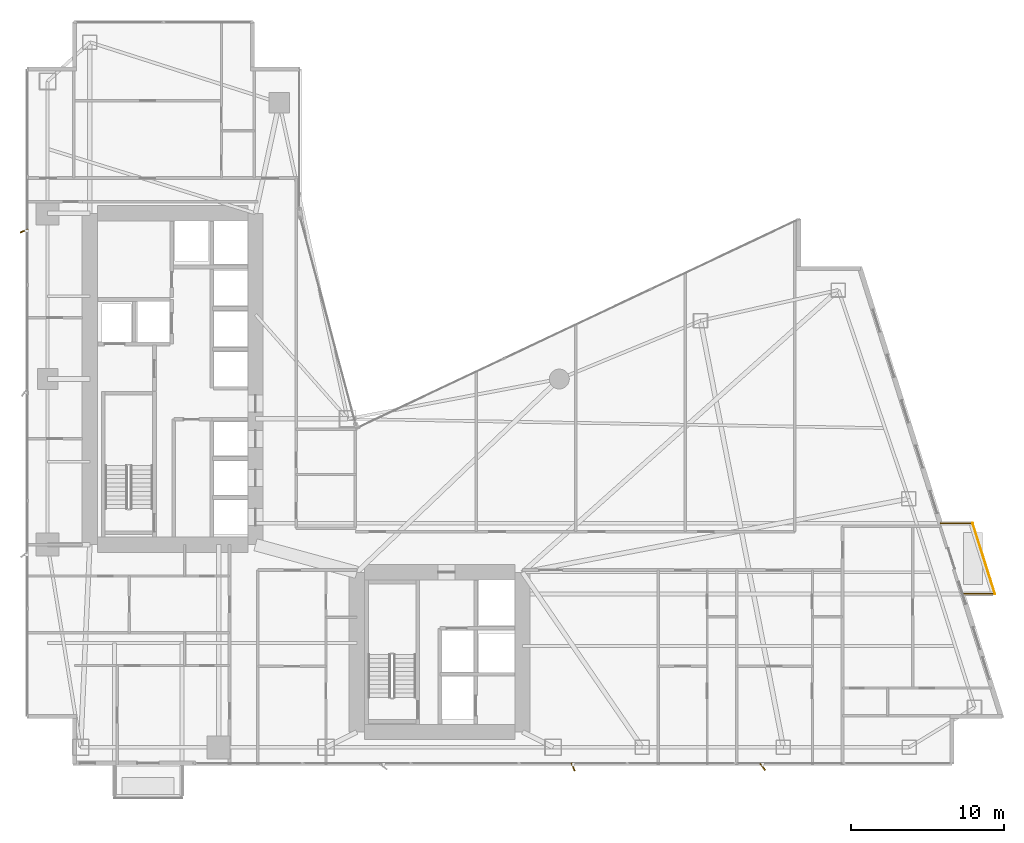
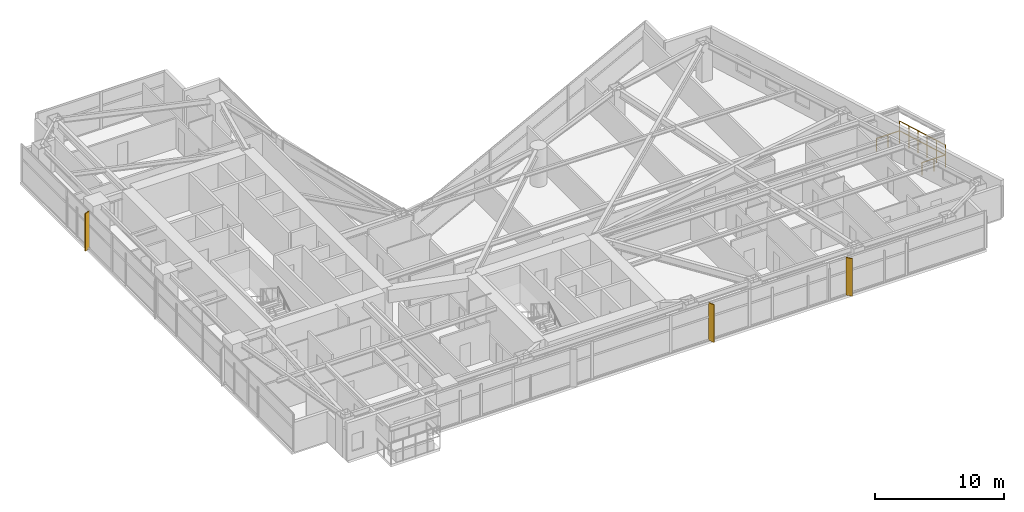
# One storey, part 29 of 29: 3 shading devices, 2 railings.
"""IFC4 building model written with IfcOpenShell, lengths in metres."""

from ifc_helpers import new_model, si_unit, direction, frame, origin, origin_2d, place, context, subcontext, project, spatial, rectangle, circle, extrude, material, type_object, element, save


model = new_model("IFC4")

# Units and contexts
model_context = context("Model", 3, precision=1e-05, world=origin(), true_north=direction((0.0, 1.0)))
body_context = subcontext(model_context, "Body", "Model", "MODEL_VIEW")
ifc_project = project(units=[si_unit("LENGTHUNIT", "METRE"), si_unit("AREAUNIT", "SQUARE_METRE"), si_unit("VOLUMEUNIT", "CUBIC_METRE"), si_unit("PLANEANGLEUNIT", "RADIAN"), si_unit("MASSUNIT", "GRAM", prefix="KILO")], contexts=[model_context])

# Site, building, storey
site_placement = place(None, origin())
site = spatial("IfcSite", under=ifc_project, at=site_placement, CompositionType="ELEMENT")
building_placement = place(site_placement, origin())
building = spatial("IfcBuilding", under=site, at=building_placement, Name="Calvorn Quay Hotel", CompositionType="ELEMENT")
storey_placement = place(building_placement, frame((0.0, 0.0, 81.199951171875)))
storey = spatial("IfcBuildingStorey", under=building, at=storey_placement, Name="L19", CompositionType="ELEMENT", Elevation=81.199951171875)

# Railings
ifc_material_1 = material(Name="Pale Anodised Aluminium and Laminated Glass", Category="aluminium")
railing_type = type_object("IfcRailingType", Name="RLG-BALUSTRADE-1200", PredefinedType="BALUSTRADE", material=ifc_material_1)
railing_1_placement = place(storey_placement, frame((61.089111328125, 13.60009765625, 0.0)))
element("IfcRailing", 1, at=railing_1_placement, inside=storey, type_object=railing_type, Name="Tree Balcony Perimeter Balustrade L19-BALC-E", PredefinedType="BALUSTRADE", context=body_context, shape_type="SweptSolid", body=[
    extrude(circle(Radius=0.02392578125, at=origin_2d()), frame((0.0, 0.0, 1.17578125), z_axis=(1.0, 0.0, 0.0), x_axis=(0.0, 1.0, 0.0)), (0.0, 0.0, 1.0), 2.099853515625),
    extrude(circle(Radius=0.02392578125, at=origin_2d()), frame((2.099853515625, 0.0, 1.17578125), z_axis=(-0.300450487966, 0.953797412599, 0.0), x_axis=(-0.953797412599, -0.300450487966, 0.0)), (0.0, 0.0, 1.0), 4.82275390625),
    extrude(circle(Radius=0.02392578125, at=origin_2d()), frame((0.65087890625, 4.599853515625, 1.17578125), z_axis=(-1.0, 0.0, 0.0), x_axis=(0.0, -1.0, 0.0)), (0.0, 0.0, 1.0), 2.10009765625),
    extrude(circle(Radius=0.02099609375, at=origin_2d()), origin(), (0.0, 0.0, 1.0), 1.15185546875),
    extrude(circle(Radius=0.02099609375, at=origin_2d()), frame((1.0498046875, 0.0, 0.0)), (0.0, 0.0, 1.0), 1.15185546875),
    extrude(circle(Radius=0.02099609375, at=origin_2d()), frame((2.099853515625, 0.0, 0.0)), (0.0, 0.0, 1.0), 1.15185546875),
    extrude(circle(Radius=0.02099609375, at=origin_2d()), frame((1.81005859375, 0.919921875, 0.0)), (0.0, 0.0, 1.0), 1.15185546875),
    extrude(circle(Radius=0.02099609375, at=origin_2d()), frame((1.520263671875, 1.83984375, 0.0)), (0.0, 0.0, 1.0), 1.15185546875),
    extrude(circle(Radius=0.02099609375, at=origin_2d()), frame((1.23046875, 2.760009765625, 0.0)), (0.0, 0.0, 1.0), 1.15185546875),
    extrude(circle(Radius=0.02099609375, at=origin_2d()), frame((0.940673828125, 3.679931640625, 0.0)), (0.0, 0.0, 1.0), 1.15185546875),
    extrude(circle(Radius=0.02099609375, at=origin_2d()), frame((0.65087890625, 4.599853515625, 0.0)), (0.0, 0.0, 1.0), 1.15185546875),
    extrude(circle(Radius=0.02099609375, at=origin_2d()), frame((-0.399169921875, 4.599853515625, 0.0)), (0.0, 0.0, 1.0), 1.15185546875),
    extrude(circle(Radius=0.02099609375, at=origin_2d()), frame((-1.44921875, 4.599853515625, 0.0)), (0.0, 0.0, 1.0), 1.15185546875),
])
railing_2_placement = place(storey_placement, frame((63.18896484375, 13.60009765625, 0.900146484375)))
element("IfcRailing", 2, at=railing_2_placement, inside=storey, type_object=railing_type, Name="Planter Kerb High Safety Screen L19-BALC-E", PredefinedType="BALUSTRADE", context=body_context, shape_type="SweptSolid", body=[
    extrude(circle(Radius=0.02392578125, at=origin_2d()), frame((0.0, 0.0, 1.19580078125), z_axis=(-0.300450487966, 0.953797412599, 0.0), x_axis=(-0.953797412599, -0.300450487966, 0.0)), (0.0, 0.0, 1.0), 4.82275390625),
    extrude(circle(Radius=0.02099609375, at=origin_2d()), origin(), (0.0, 0.0, 1.0), 1.171875),
    extrude(circle(Radius=0.02099609375, at=origin_2d()), frame((-0.289794921875, 0.919921875, 0.0)), (0.0, 0.0, 1.0), 1.171875),
    extrude(circle(Radius=0.02099609375, at=origin_2d()), frame((-0.57958984375, 1.83984375, 0.0)), (0.0, 0.0, 1.0), 1.171875),
    extrude(circle(Radius=0.02099609375, at=origin_2d()), frame((-0.869384765625, 2.760009765625, 0.0)), (0.0, 0.0, 1.0), 1.171875),
    extrude(circle(Radius=0.02099609375, at=origin_2d()), frame((-1.1591796875, 3.679931640625, 0.0)), (0.0, 0.0, 1.0), 1.171875),
    extrude(circle(Radius=0.02099609375, at=origin_2d()), frame((-1.448974609375, 4.599853515625, 0.0)), (0.0, 0.0, 1.0), 1.171875),
])

# Shading devices
ifc_material_2 = material(Name="Champagne Bronze Anodised Aluminium 6063-T6", Category="aluminium")
shading_device_type_1 = type_object("IfcShadingDeviceType", Name="SHD-FIN-A1", PredefinedType="USERDEFINED", material=ifc_material_2)
for number, where, z_axis, x_axis, name in (
    (3, (-0.080078125, 37.25, 0.0), (0.0, 0.0, 1.0), (0.927183854567, 0.374606593416, 0.0), "Diagonal Sun-Shading Fin L19-W03"),
    (4, (35.699951171875, 2.320068359375, 0.0), (0.0, 0.0, 1.0), (-0.374606593416, 0.927183854567, 0.0), "Diagonal Sun-Shading Fin L19-S02"),
):
    element("IfcShadingDevice", number, at=place(storey_placement, frame(where, z_axis=z_axis, x_axis=x_axis)), inside=storey, type_object=shading_device_type_1, Name=name, ObjectType="FIN", PredefinedType="USERDEFINED", context=body_context, shape_type="SweptSolid", body=[
        extrude(rectangle(XDim=0.550048828125, YDim=0.080078125, at=origin_2d()), origin(), (0.0, 0.0, 1.0), 3.56005859375),
    ])
ifc_material_3 = material(Name="Champagne Bronze Anodised Aluminium 6063-T6", Category="aluminium")
shading_device_type_2 = type_object("IfcShadingDeviceType", Name="SHD-FIN-A2", PredefinedType="USERDEFINED", material=ifc_material_3)
shading_device_placement = place(storey_placement, frame((48.050048828125, 2.320068359375, 0.0), z_axis=(0.0, 0.0, 1.0), x_axis=(-0.615661475326, 0.788010753607, 0.0)))
element("IfcShadingDevice", 5, at=shading_device_placement, inside=storey, type_object=shading_device_type_2, Name="Diagonal Sun-Shading Fin L19-S03", ObjectType="FIN", PredefinedType="USERDEFINED", context=body_context, shape_type="SweptSolid", body=[
    extrude(rectangle(XDim=0.550048828125, YDim=0.080078125, at=origin_2d()), origin(), (0.0, 0.0, 1.0), 3.56005859375),
])

save(model, "model.ifc")
